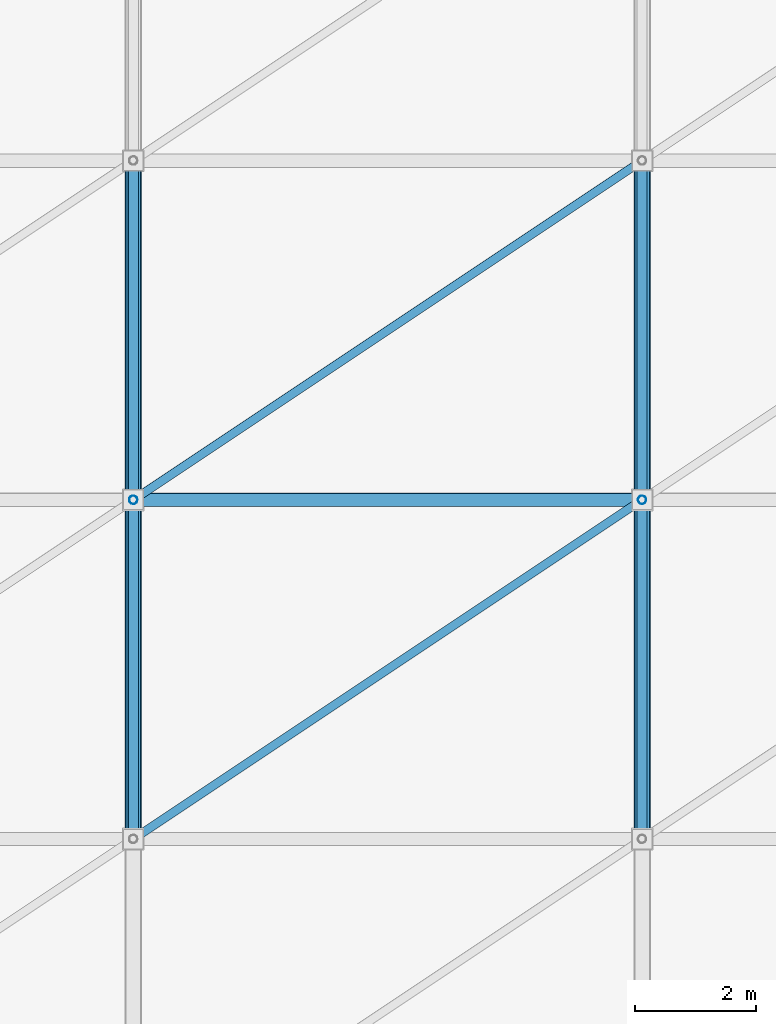
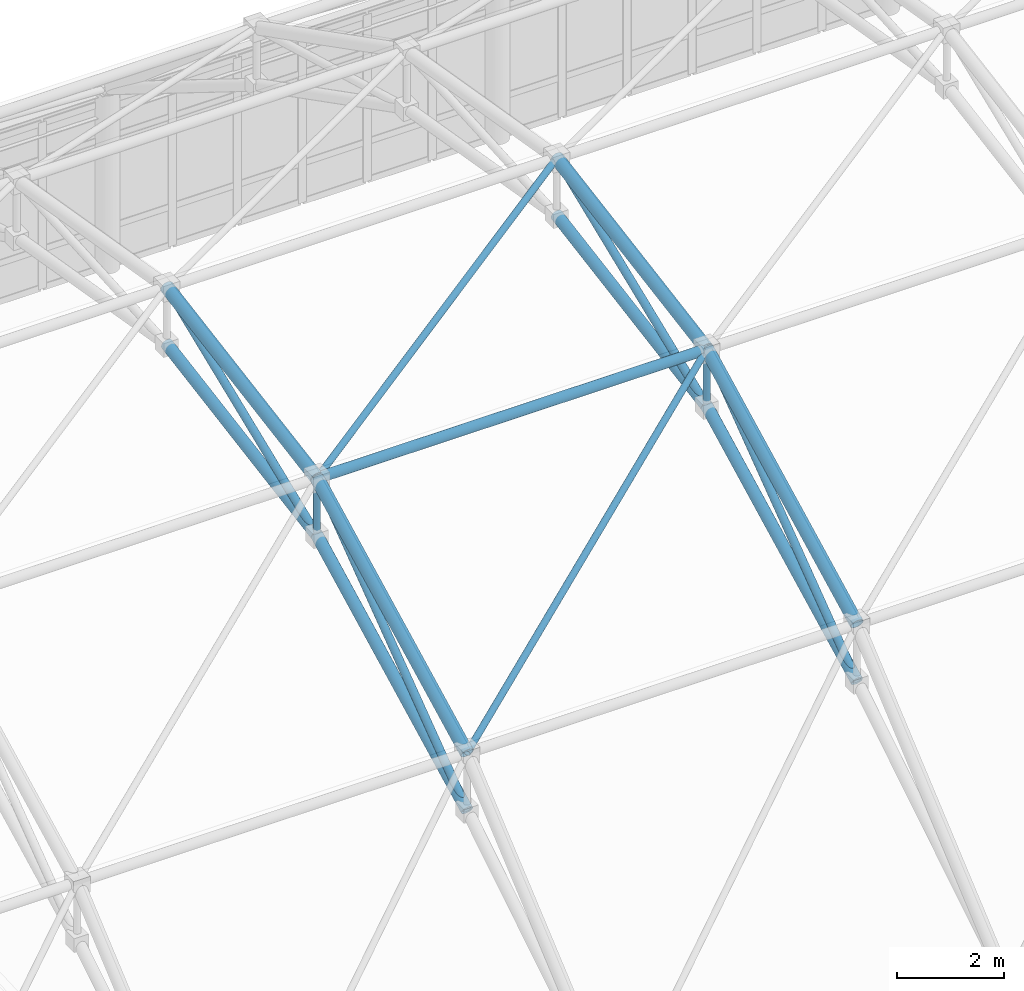
# One storey, part 69 of 184: 17 members.
"""IFC4 building model written with IfcOpenShell, lengths in metres."""

from ifc_helpers import new_model, si_unit, direction, frame, origin, origin_2d, place, context, subcontext, project, spatial, hollow_circle, extrude, material, material_profile, profile_set, type_object, element, save


model = new_model("IFC4")

# Units and contexts
model_context = context("Model", 3, precision=1e-05, world=origin(), true_north=direction((0.0, 1.0)))
body_context = subcontext(model_context, "Body", "Model", "MODEL_VIEW")
ifc_project = project(units=[si_unit("LENGTHUNIT", "METRE"), si_unit("AREAUNIT", "SQUARE_METRE"), si_unit("VOLUMEUNIT", "CUBIC_METRE"), si_unit("PLANEANGLEUNIT", "RADIAN"), si_unit("MASSUNIT", "GRAM", prefix="KILO")], contexts=[model_context])

# Site, building, storey
site_placement = place(None, origin())
site = spatial("IfcSite", under=ifc_project, at=site_placement, CompositionType="ELEMENT")
building_placement = place(site_placement, origin())
building = spatial("IfcBuilding", under=site, at=building_placement, Name="Qalvenar Corner Mobility Hub", CompositionType="ELEMENT")
storey_placement = place(building_placement, frame((0.0, 0.0, 9.0)))
storey = spatial("IfcBuildingStorey", under=building, at=storey_placement, Name="L02", CompositionType="ELEMENT", Elevation=9.0)

# Members
ifc_material = material(Name="Steel S355", Category="steel")
ifc_material_profile_1 = material_profile(ifc_material, hollow_circle(Radius=0.109619140625, WallThickness=0.008056640625, at=origin_2d()), Name="CHS219.1x8")
ifc_profile_set_1 = profile_set([ifc_material_profile_1], Name="Steel S355")
member_type_1 = type_object("IfcMemberType", Name="SF-CHD219", PredefinedType="CHORD", material=ifc_profile_set_1)
member_1_placement = place(storey_placement, frame((67.199951171875, 11.199951171875, 11.704345703125), z_axis=(1.0, 0.0, 0.0), x_axis=(0.0, 1.0, 0.0)))
element("IfcMember", 1, at=member_1_placement, inside=storey, type_object=member_type_1, Name="Space Frame Longitudinal Chord SFL-0192", PredefinedType="CHORD", context=body_context, shape_type="SweptSolid", body=[
    extrude(hollow_circle(Radius=0.109619140625, WallThickness=0.008056640625, at=origin_2d()), origin(), (0.0, 0.0, 1.0), 8.400146484375),
])
ifc_material_profile_2 = material_profile(ifc_material, hollow_circle(Radius=0.122314453125, WallThickness=0.0087890625, at=origin_2d()), Name="CHS244.5x8.8")
ifc_profile_set_2 = profile_set([ifc_material_profile_2], Name="Steel S355")
member_type_2 = type_object("IfcMemberType", Name="SF-CHD244", PredefinedType="CHORD", material=ifc_profile_set_2)
member_2_placement = place(storey_placement, frame((67.199951171875, 5.60009765625, 7.537841796875), z_axis=(0.0, 0.890157020212, 0.455653903052), x_axis=(-1.0, 0.0, 0.0)))
element("IfcMember", 2, at=member_2_placement, inside=storey, type_object=member_type_2, Name="Space Frame Bottom Chord SFBC-0046", PredefinedType="CHORD", context=body_context, shape_type="SweptSolid", body=[
    extrude(hollow_circle(Radius=0.122314453125, WallThickness=0.0087890625, at=origin_2d()), origin(), (0.0, 0.0, 1.0), 6.290771484375),
])
member_3_placement = place(storey_placement, frame((67.199951171875, 11.199951171875, 10.404296875), z_axis=(0.0, 0.985745292256, 0.168244520847), x_axis=(-1.0, 0.0, 0.0)))
element("IfcMember", 3, at=member_3_placement, inside=storey, type_object=member_type_2, Name="Space Frame Bottom Chord SFBC-0049", PredefinedType="CHORD", context=body_context, shape_type="SweptSolid", body=[
    extrude(hollow_circle(Radius=0.122314453125, WallThickness=0.0087890625, at=origin_2d()), origin(), (0.0, 0.0, 1.0), 5.68115234375),
])
member_4_placement = place(storey_placement, frame((75.60009765625, 5.60009765625, 7.537841796875), z_axis=(0.0, 0.890157020212, 0.455653903052), x_axis=(-1.0, 0.0, 0.0)))
element("IfcMember", 4, at=member_4_placement, inside=storey, type_object=member_type_2, Name="Space Frame Bottom Chord SFBC-0067", PredefinedType="CHORD", context=body_context, shape_type="SweptSolid", body=[
    extrude(hollow_circle(Radius=0.122314453125, WallThickness=0.0087890625, at=origin_2d()), origin(), (0.0, 0.0, 1.0), 6.290771484375),
])
member_5_placement = place(storey_placement, frame((75.60009765625, 11.199951171875, 10.404296875), z_axis=(0.0, 0.985745292256, 0.168244520847), x_axis=(-1.0, 0.0, 0.0)))
element("IfcMember", 5, at=member_5_placement, inside=storey, type_object=member_type_2, Name="Space Frame Bottom Chord SFBC-0070", PredefinedType="CHORD", context=body_context, shape_type="SweptSolid", body=[
    extrude(hollow_circle(Radius=0.122314453125, WallThickness=0.0087890625, at=origin_2d()), origin(), (0.0, 0.0, 1.0), 5.68115234375),
])
ifc_material_profile_3 = material_profile(ifc_material, hollow_circle(Radius=0.136474609375, WallThickness=0.010009765625, at=origin_2d()), Name="CHS273x10")
ifc_profile_set_3 = profile_set([ifc_material_profile_3], Name="Steel S355")
member_type_3 = type_object("IfcMemberType", Name="SF-CHD273", PredefinedType="CHORD", material=ifc_profile_set_3)
member_6_placement = place(storey_placement, frame((67.199951171875, 5.60009765625, 8.837890625), z_axis=(0.0, 0.890157020212, 0.455653903052), x_axis=(-1.0, 0.0, 0.0)))
element("IfcMember", 6, at=member_6_placement, inside=storey, type_object=member_type_3, Name="Space Frame Top Chord SFTC-0045", PredefinedType="CHORD", context=body_context, shape_type="SweptSolid", body=[
    extrude(hollow_circle(Radius=0.136474609375, WallThickness=0.010009765625, at=origin_2d()), origin(), (0.0, 0.0, 1.0), 6.290771484375),
])
member_7_placement = place(storey_placement, frame((67.199951171875, 11.199951171875, 11.704345703125), z_axis=(0.0, 0.985752418555, 0.1682027625), x_axis=(-1.0, 0.0, 0.0)))
element("IfcMember", 7, at=member_7_placement, inside=storey, type_object=member_type_3, Name="Space Frame Top Chord SFTC-0048", PredefinedType="CHORD", context=body_context, shape_type="SweptSolid", body=[
    extrude(hollow_circle(Radius=0.136474609375, WallThickness=0.010009765625, at=origin_2d()), origin(), (0.0, 0.0, 1.0), 5.68115234375),
])
member_8_placement = place(storey_placement, frame((75.60009765625, 5.60009765625, 8.837890625), z_axis=(0.0, 0.890157020212, 0.455653903052), x_axis=(-1.0, 0.0, 0.0)))
element("IfcMember", 8, at=member_8_placement, inside=storey, type_object=member_type_3, Name="Space Frame Top Chord SFTC-0066", PredefinedType="CHORD", context=body_context, shape_type="SweptSolid", body=[
    extrude(hollow_circle(Radius=0.136474609375, WallThickness=0.010009765625, at=origin_2d()), origin(), (0.0, 0.0, 1.0), 6.290771484375),
])
member_9_placement = place(storey_placement, frame((75.60009765625, 11.199951171875, 11.704345703125), z_axis=(0.0, 0.985752418555, 0.1682027625), x_axis=(-1.0, 0.0, 0.0)))
element("IfcMember", 9, at=member_9_placement, inside=storey, type_object=member_type_3, Name="Space Frame Top Chord SFTC-0069", PredefinedType="CHORD", context=body_context, shape_type="SweptSolid", body=[
    extrude(hollow_circle(Radius=0.136474609375, WallThickness=0.010009765625, at=origin_2d()), origin(), (0.0, 0.0, 1.0), 5.68115234375),
])
ifc_material_profile_4 = material_profile(ifc_material, hollow_circle(Radius=0.06982421875, WallThickness=0.0048828125, at=origin_2d()), Name="CHS139.7x5")
ifc_profile_set_4 = profile_set([ifc_material_profile_4], Name="Steel S355")
member_type_4 = type_object("IfcMemberType", Name="SF-STR139", PredefinedType="STRUT", material=ifc_profile_set_4)
for number, where, z_axis, x_axis, name in (
    (10, (67.199951171875, 11.199951171875, 10.404296875), (0.0, 0.0, 1.0), (1.0, 0.0, 0.0), "Space Frame King Strut SFV-0060"),
    (11, (75.60009765625, 11.199951171875, 10.404296875), (0.0, 0.0, 1.0), (1.0, 0.0, 0.0), "Space Frame King Strut SFV-0081"),
):
    element("IfcMember", number, at=place(storey_placement, frame(where, z_axis=z_axis, x_axis=x_axis)), inside=storey, type_object=member_type_4, Name=name, PredefinedType="STRUT", context=body_context, shape_type="SweptSolid", body=[
        extrude(hollow_circle(Radius=0.06982421875, WallThickness=0.0048828125, at=origin_2d()), origin(), (0.0, 0.0, 1.0), 1.300048828125),
    ])
member_10_placement = place(storey_placement, frame((67.199951171875, 5.60009765625, 8.837890625), z_axis=(0.800422851542, 0.533591970989, 0.273135254453), x_axis=(-0.554683454097, 0.832061455513, 0.0)))
element("IfcMember", 12, at=member_10_placement, inside=storey, type_object=member_type_4, Name="Space Frame Plan Strut SFP-0197", PredefinedType="STRUT", context=body_context, shape_type="SweptSolid", body=[
    extrude(hollow_circle(Radius=0.06982421875, WallThickness=0.0048828125, at=origin_2d()), origin(), (0.0, 0.0, 1.0), 10.49462890625),
])
member_11_placement = place(storey_placement, frame((67.199951171875, 11.199951171875, 11.704345703125), z_axis=(0.828348087902, 0.552232058601, 0.094229500277), x_axis=(-0.554700196225, 0.832050294338, 0.0)))
element("IfcMember", 13, at=member_11_placement, inside=storey, type_object=member_type_4, Name="Space Frame Plan Strut SFP-0198", PredefinedType="STRUT", context=body_context, shape_type="SweptSolid", body=[
    extrude(hollow_circle(Radius=0.06982421875, WallThickness=0.0048828125, at=origin_2d()), origin(), (0.0, 0.0, 1.0), 10.140869140625),
])
ifc_material_profile_5 = material_profile(ifc_material, hollow_circle(Radius=0.084228515625, WallThickness=0.00634765625, at=origin_2d()), Name="CHS168.3x6.3")
ifc_profile_set_5 = profile_set([ifc_material_profile_5], Name="Steel S355")
member_type_5 = type_object("IfcMemberType", Name="SF-STR168", PredefinedType="STRUT", material=ifc_profile_set_5)
member_12_placement = place(storey_placement, frame((67.199951171875, 5.60009765625, 7.537841796875), z_axis=(0.0, 0.802290097952, 0.596934333682), x_axis=(-1.0, 0.0, 0.0)))
element("IfcMember", 14, at=member_12_placement, inside=storey, type_object=member_type_5, Name="Space Frame Web Strut SFD-0047", PredefinedType="STRUT", context=body_context, shape_type="SweptSolid", body=[
    extrude(hollow_circle(Radius=0.084228515625, WallThickness=0.00634765625, at=origin_2d()), origin(), (0.0, 0.0, 1.0), 6.979736328125),
])
member_13_placement = place(storey_placement, frame((67.199951171875, 11.199951171875, 10.404296875), z_axis=(0.0, 0.927584374155, 0.37361374282), x_axis=(-1.0, 0.0, 0.0)))
element("IfcMember", 15, at=member_13_placement, inside=storey, type_object=member_type_5, Name="Space Frame Web Strut SFD-0050", PredefinedType="STRUT", context=body_context, shape_type="SweptSolid", body=[
    extrude(hollow_circle(Radius=0.084228515625, WallThickness=0.00634765625, at=origin_2d()), origin(), (0.0, 0.0, 1.0), 6.037353515625),
])
member_14_placement = place(storey_placement, frame((75.60009765625, 5.60009765625, 7.537841796875), z_axis=(0.0, 0.802290097952, 0.596934333682), x_axis=(-1.0, 0.0, 0.0)))
element("IfcMember", 16, at=member_14_placement, inside=storey, type_object=member_type_5, Name="Space Frame Web Strut SFD-0068", PredefinedType="STRUT", context=body_context, shape_type="SweptSolid", body=[
    extrude(hollow_circle(Radius=0.084228515625, WallThickness=0.00634765625, at=origin_2d()), origin(), (0.0, 0.0, 1.0), 6.979736328125),
])
member_15_placement = place(storey_placement, frame((75.60009765625, 11.199951171875, 10.404296875), z_axis=(0.0, 0.927584374155, 0.37361374282), x_axis=(-1.0, 0.0, 0.0)))
element("IfcMember", 17, at=member_15_placement, inside=storey, type_object=member_type_5, Name="Space Frame Web Strut SFD-0071", PredefinedType="STRUT", context=body_context, shape_type="SweptSolid", body=[
    extrude(hollow_circle(Radius=0.084228515625, WallThickness=0.00634765625, at=origin_2d()), origin(), (0.0, 0.0, 1.0), 6.037353515625),
])

save(model, "model.ifc")
